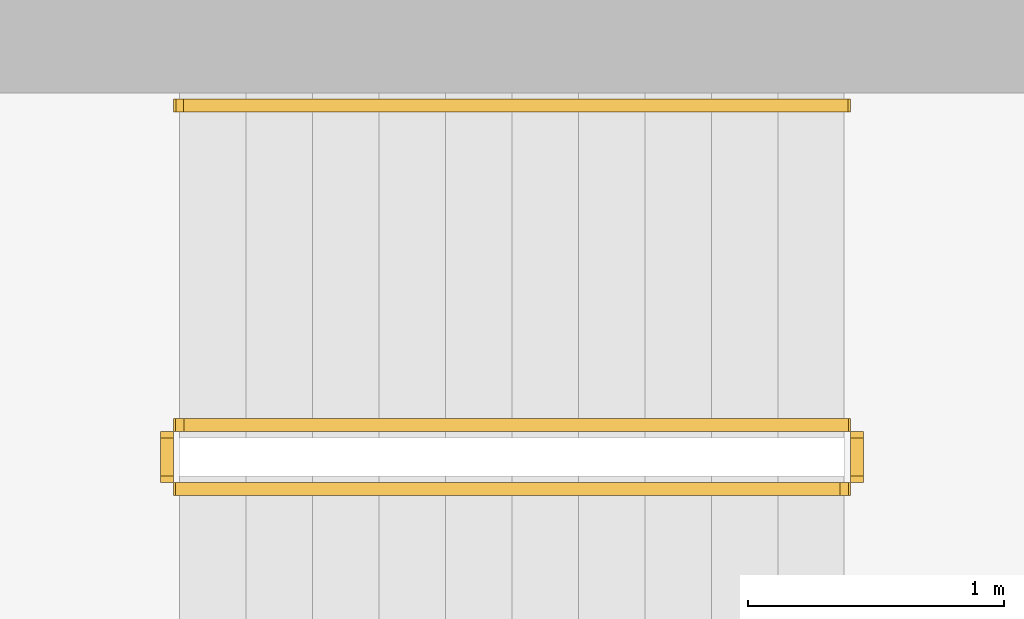
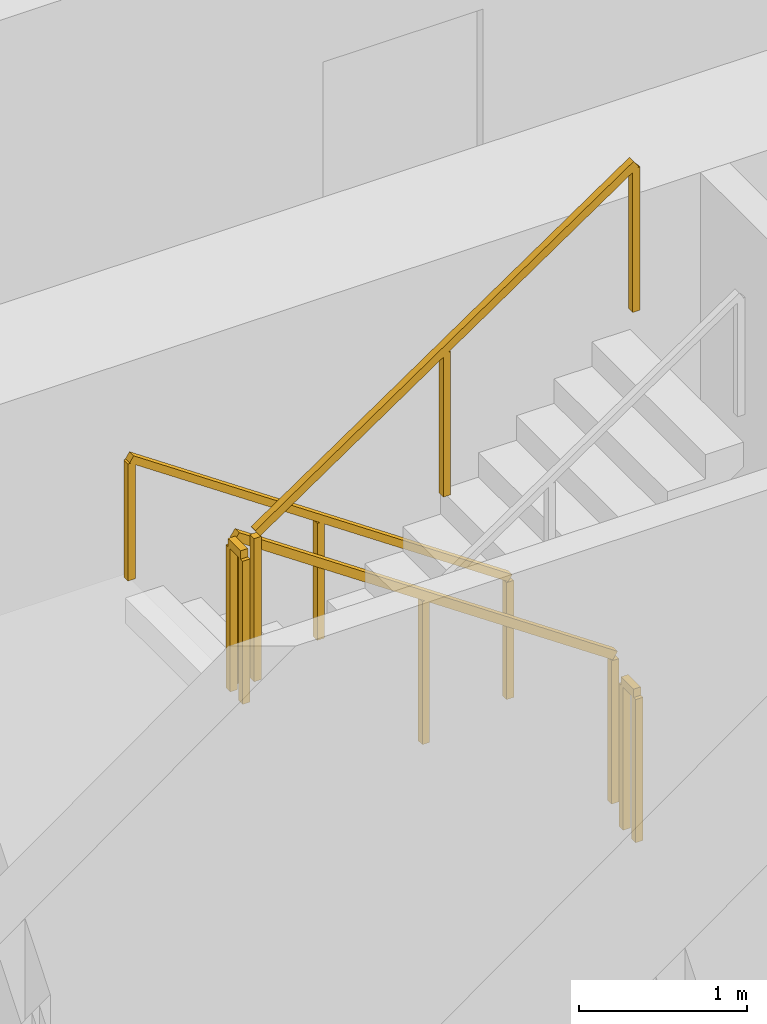
# One storey, part 13 of 14: 5 railings.
"""IFC4 building model written with IfcOpenShell, lengths in metres."""

from ifc_helpers import new_model, si_unit, direction, frame, origin, origin_2d, place, context, subcontext, project, spatial, rectangle, extrude, material, type_object, element, save


model = new_model("IFC4")

# Units and contexts
model_context = context("Model", 3, precision=1e-05, world=origin(), true_north=direction((0.0, 1.0)))
body_context = subcontext(model_context, "Body", "Model", "MODEL_VIEW")
ifc_project = project(units=[si_unit("LENGTHUNIT", "METRE"), si_unit("AREAUNIT", "SQUARE_METRE"), si_unit("VOLUMEUNIT", "CUBIC_METRE"), si_unit("PLANEANGLEUNIT", "RADIAN"), si_unit("MASSUNIT", "GRAM", prefix="KILO")], contexts=[model_context])

# Site, building, storey
site_placement = place(None, origin())
site = spatial("IfcSite", under=ifc_project, at=site_placement, CompositionType="ELEMENT")
building_placement = place(site_placement, origin())
building = spatial("IfcBuilding", under=site, at=building_placement, Name="Khepri Terraces", CompositionType="ELEMENT")
storey_placement = place(building_placement, frame((0.0, 0.0, 106.5)))
storey = spatial("IfcBuildingStorey", under=building, at=storey_placement, Name="L25", CompositionType="ELEMENT", Elevation=106.5)

# Railings
ifc_material = material(Name="Stainless steel 316", Category="steel")
railing_type_1 = type_object("IfcRailingType", Name="RL-CORE-GUARD", PredefinedType="GUARDRAIL", material=ifc_material)
railing_1_placement = place(storey_placement, frame((-0.25, 8.800048828125, 0.17724609375)))
element("IfcRailing", 1, at=railing_1_placement, inside=storey, type_object=railing_type_1, Name="L25 ST-3 stair guard 1", PredefinedType="GUARDRAIL", context=body_context, shape_type="SweptSolid", body=[
    extrude(rectangle(XDim=0.050048828125, YDim=0.06005859375, at=origin_2d()), frame((0.0, 0.0, 1.070068359375), z_axis=(-0.826240473404, 0.0, 0.563317565952), x_axis=(0.0, -1.0, 0.0)), (0.0, 0.0, 1.0), 3.14697265625),
    extrude(rectangle(XDim=0.050048828125, YDim=0.050048828125, at=origin_2d()), origin(), (0.0, 0.0, 1.0), 1.0400390625),
    extrude(rectangle(XDim=0.050048828125, YDim=0.050048828125, at=origin_2d()), frame((-1.300048828125, 0.0, 0.88623046875)), (0.0, 0.0, 1.0), 1.0400390625),
    extrude(rectangle(XDim=0.050048828125, YDim=0.050048828125, at=origin_2d()), frame((-2.60009765625, 0.0, 1.772705078125)), (0.0, 0.0, 1.0), 1.0400390625),
])
railing_2_placement = place(storey_placement, frame((-2.89990234375, 8.75, 1.949951171875)))
element("IfcRailing", 2, at=railing_2_placement, inside=storey, type_object=railing_type_1, Name="L25 ST-3 stair guard 2", PredefinedType="GUARDRAIL", context=body_context, shape_type="SweptSolid", body=[
    extrude(rectangle(XDim=0.050048828125, YDim=0.06005859375, at=origin_2d()), frame((0.0, 0.0, 1.070068359375), z_axis=(0.0, -1.0, 0.0), x_axis=(1.0, 0.0, 0.0)), (0.0, 0.0, 1.0), 0.14990234375),
    extrude(rectangle(XDim=0.050048828125, YDim=0.050048828125, at=origin_2d()), origin(), (0.0, 0.0, 1.0), 1.0400390625),
    extrude(rectangle(XDim=0.050048828125, YDim=0.050048828125, at=origin_2d()), frame((0.0, -0.14990234375, 0.0)), (0.0, 0.0, 1.0), 1.0400390625),
])
railing_3_placement = place(storey_placement, frame((-2.85009765625, 8.550048828125, 2.127197265625)))
element("IfcRailing", 3, at=railing_3_placement, inside=storey, type_object=railing_type_1, Name="L25 ST-3 stair guard 3", PredefinedType="GUARDRAIL", context=body_context, shape_type="SweptSolid", body=[
    extrude(rectangle(XDim=0.050048828125, YDim=0.06005859375, at=origin_2d()), frame((0.0, 0.0, 1.070068359375), z_axis=(0.826240473404, 0.0, 0.563317565952), x_axis=(0.0, 1.0, 0.0)), (0.0, 0.0, 1.0), 3.14697265625),
    extrude(rectangle(XDim=0.050048828125, YDim=0.050048828125, at=origin_2d()), origin(), (0.0, 0.0, 1.0), 1.0400390625),
    extrude(rectangle(XDim=0.050048828125, YDim=0.050048828125, at=origin_2d()), frame((1.300048828125, 0.0, 0.88623046875)), (0.0, 0.0, 1.0), 1.0400390625),
    extrude(rectangle(XDim=0.050048828125, YDim=0.050048828125, at=origin_2d()), frame((2.60009765625, 0.0, 1.772705078125)), (0.0, 0.0, 1.0), 1.0400390625),
])
railing_4_placement = place(storey_placement, frame((-0.199951171875, 8.75, 0.0)))
element("IfcRailing", 4, at=railing_4_placement, inside=storey, type_object=railing_type_1, Name="L25 ST-3 stair guard 4", PredefinedType="GUARDRAIL", context=body_context, shape_type="SweptSolid", body=[
    extrude(rectangle(XDim=0.050048828125, YDim=0.06005859375, at=origin_2d()), frame((0.0, 0.0, 1.070068359375), z_axis=(0.0, -1.0, 0.0), x_axis=(1.0, 0.0, 0.0)), (0.0, 0.0, 1.0), 0.14990234375),
    extrude(rectangle(XDim=0.050048828125, YDim=0.050048828125, at=origin_2d()), origin(), (0.0, 0.0, 1.0), 1.0400390625),
    extrude(rectangle(XDim=0.050048828125, YDim=0.050048828125, at=origin_2d()), frame((0.0, -0.14990234375, 0.0)), (0.0, 0.0, 1.0), 1.0400390625),
])
railing_type_2 = type_object("IfcRailingType", Name="RL-CORE-HANDRAIL", PredefinedType="HANDRAIL", material=ifc_material)
railing_5_placement = place(storey_placement, frame((-0.25, 10.050048828125, 0.17724609375)))
element("IfcRailing", 5, at=railing_5_placement, inside=storey, type_object=railing_type_2, Name="L25 ST-3 stair handrail 1", PredefinedType="HANDRAIL", context=body_context, shape_type="SweptSolid", body=[
    extrude(rectangle(XDim=0.050048828125, YDim=0.050048828125, at=origin_2d()), frame((0.0, 0.0, 0.875), z_axis=(-0.826240473404, 0.0, 0.563317565952), x_axis=(0.0, -1.0, 0.0)), (0.0, 0.0, 1.0), 3.14697265625),
    extrude(rectangle(XDim=0.050048828125, YDim=0.050048828125, at=origin_2d()), origin(), (0.0, 0.0, 1.0), 0.849853515625),
    extrude(rectangle(XDim=0.050048828125, YDim=0.050048828125, at=origin_2d()), frame((-1.300048828125, 0.0, 0.88623046875)), (0.0, 0.0, 1.0), 0.849853515625),
    extrude(rectangle(XDim=0.050048828125, YDim=0.050048828125, at=origin_2d()), frame((-2.60009765625, 0.0, 1.772705078125)), (0.0, 0.0, 1.0), 0.849853515625),
])

save(model, "model.ifc")
